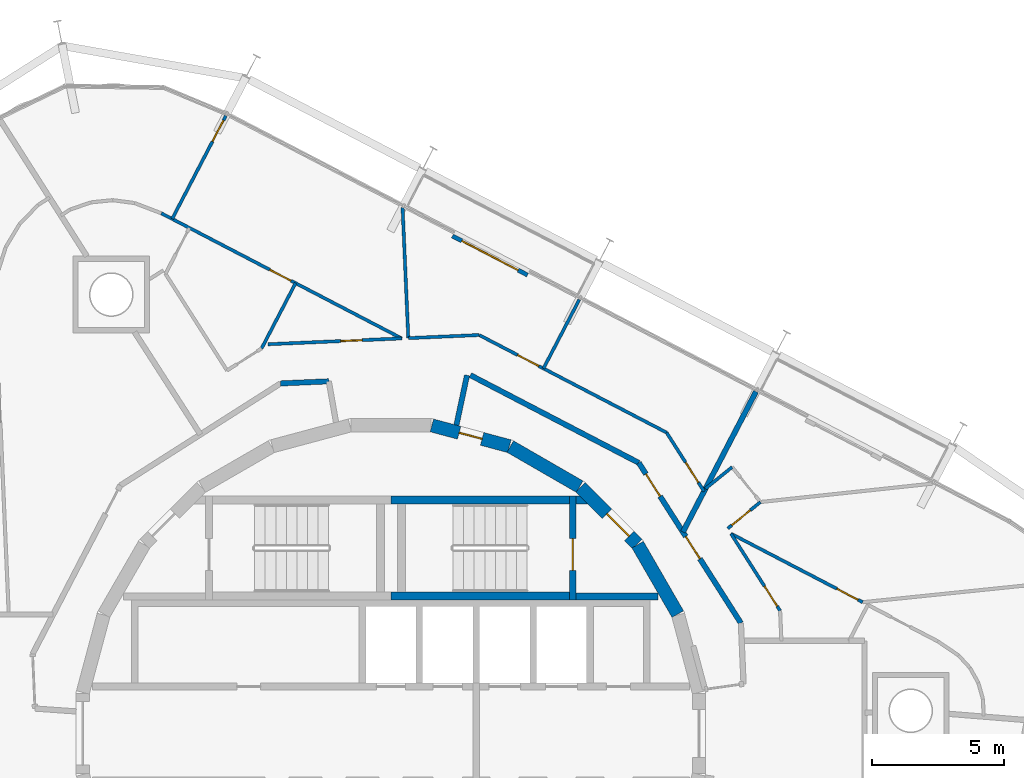
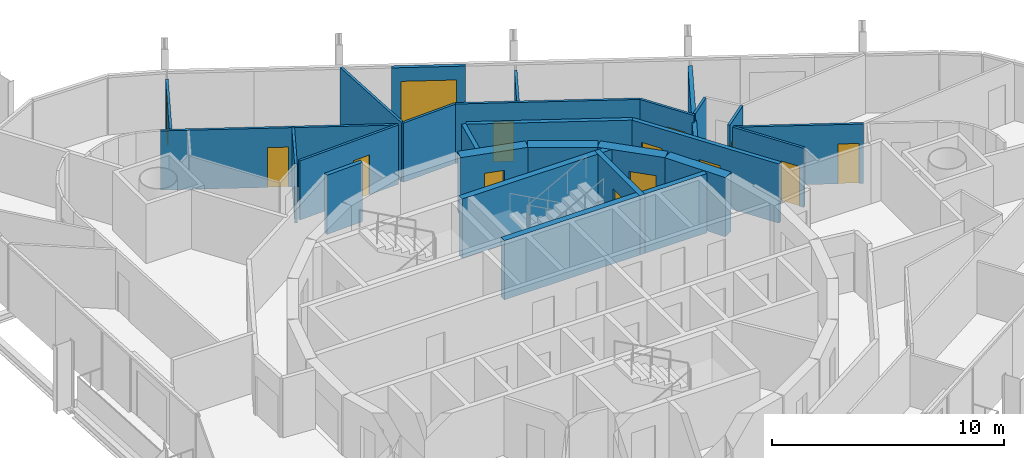
# One storey, part 16 of 18: 28 walls, 14 doors, 14 openings.
"""IFC4 building model written with IfcOpenShell, lengths in metres."""

from ifc_helpers import new_model, si_unit, direction, frame, frame_2d, origin, place, context, subcontext, project, spatial, polyline, rectangle, outline, extrude, material, layer, layer_set, type_object, element, fill, save


model = new_model("IFC4")

# Units and contexts
model_context = context("Model", 3, precision=1e-05, world=origin(), true_north=direction((0.0, 1.0)))
body_context = subcontext(model_context, "Body", "Model", "MODEL_VIEW")
ifc_project = project(units=[si_unit("LENGTHUNIT", "METRE"), si_unit("AREAUNIT", "SQUARE_METRE"), si_unit("VOLUMEUNIT", "CUBIC_METRE"), si_unit("PLANEANGLEUNIT", "RADIAN"), si_unit("MASSUNIT", "GRAM", prefix="KILO")], contexts=[model_context])

# Site, building, storey
site_placement = place(None, origin())
site = spatial("IfcSite", under=ifc_project, at=site_placement, CompositionType="ELEMENT")
building_placement = place(site_placement, origin())
building = spatial("IfcBuilding", under=site, at=building_placement, Name="Spindle Arch Residences", CompositionType="ELEMENT")
storey_placement = place(building_placement, frame((0.0, 0.0, 251.199951171875)))
storey = spatial("IfcBuildingStorey", under=building, at=storey_placement, Name="L64", CompositionType="ELEMENT", Elevation=251.199951171875)

# Wall
ifc_material_1 = material(Name="Concrete C50/60", Category="concrete")
ifc_layer_1 = layer(ifc_material_1, 0.5)
ifc_layer_set_1 = layer_set([ifc_layer_1], Name="Core outline wall 500")
wall_type_1 = type_object("IfcWallType", Name="Core outline wall 500", PredefinedType="SHEAR", material=ifc_layer_set_1)
wall_1_placement = place(storey_placement, frame((10.84521484375, 4.510498046875, 0.0), z_axis=(0.0, 0.0, 1.0), x_axis=(-0.500087131594, 0.865975092491, 0.0)))
element("IfcWall", 1, at=wall_1_placement, inside=storey, type_object=wall_type_1, Name="Core outline wall 8", PredefinedType="SHEAR", context=body_context, shape_type="SweptSolid", body=[
    extrude(rectangle(XDim=3.03271484375, YDim=0.5, at=frame_2d((1.516357421875, 0.0))), origin(), (0.0, 0.0, 1.0), 3.1201171875),
])

# Wall, opening, door
wall_2_placement = place(storey_placement, frame((9.30810546875, 7.163818359375, 0.0), z_axis=(0.0, 0.0, 1.0), x_axis=(-0.707106781187, 0.707106781187, 0.0)))
wall_2 = element("IfcWall", 2, at=wall_2_placement, inside=storey, type_object=wall_type_1, Name="Core outline wall 9", PredefinedType="SHEAR", context=body_context, shape_type="SweptSolid", body=[
    extrude(rectangle(XDim=3.032470703125, YDim=0.5, at=frame_2d((1.51611328125, 0.0))), origin(), (0.0, 0.0, 1.0), 3.1201171875),
])
opening_1_placement = place(wall_2_placement, frame((0.416259765625, 0.0, 0.0)))
opening_1 = element("IfcOpeningElement", 3, at=opening_1_placement, cuts=wall_2, Name="Opening R6C1-AD01", PredefinedType="OPENING", context=body_context, shape_type="SweptSolid", body=[
    extrude(rectangle(XDim=1.199951171875, YDim=2.10009765625, at=frame_2d((0.60009765625, 1.050048828125))), frame((0.0, 0.260009765625, 0.0), z_axis=(0.0, -1.0, 0.0), x_axis=(1.0, 0.0, 0.0)), (0.0, 0.0, 1.0), 0.52001953125),
])
ifc_material_2 = material(Name="Steel, fire-resisting door", Category="steel")
door_type_1 = type_object("IfcDoorType", Name="Stair airlock door 1200x2100", OperationType="SINGLE_SWING_LEFT", PredefinedType="DOOR", material=ifc_material_2)
door_1_placement = place(opening_1_placement, origin())
door_1 = element("IfcDoor", 4, at=door_1_placement, inside=storey, type_object=door_type_1, Name="Stair airlock door R6C1-AD01", OperationType="SINGLE_SWING_RIGHT", OverallHeight=2.10009765625, OverallWidth=1.199951171875, PredefinedType="DOOR", context=body_context, shape_type="SweptSolid", body=[
    extrude(rectangle(XDim=1.199951171875, YDim=2.10009765625, at=frame_2d((0.60009765625, 1.050048828125))), frame((0.0, 0.02490234375, 0.0), z_axis=(0.0, -1.0, 0.0), x_axis=(1.0, 0.0, 0.0)), (0.0, 0.0, 1.0), 0.050048828125),
])
fill(opening_1, door_1)

# Wall
wall_3_placement = place(storey_placement, frame((7.13671875, 9.32861328125, 0.0), z_axis=(0.0, 0.0, 1.0), x_axis=(-0.865975092491, 0.500087131594, 0.0)))
element("IfcWall", 5, at=wall_3_placement, inside=storey, type_object=wall_type_1, Name="Core outline wall 10", PredefinedType="SHEAR", context=body_context, shape_type="SweptSolid", body=[
    extrude(rectangle(XDim=3.03271484375, YDim=0.5, at=frame_2d((1.516357421875, 0.0))), origin(), (0.0, 0.0, 1.0), 3.1201171875),
])

# Wall, opening, door
wall_4_placement = place(storey_placement, frame((4.479248046875, 10.858154296875, 0.0), z_axis=(0.0, 0.0, 1.0), x_axis=(-0.965948410781, 0.258734743916, 0.0)))
wall_4 = element("IfcWall", 6, at=wall_4_placement, inside=storey, type_object=wall_type_1, Name="Core outline wall 11", PredefinedType="SHEAR", context=body_context, shape_type="SweptSolid", body=[
    extrude(rectangle(XDim=3.03271484375, YDim=0.5, at=frame_2d((1.516357421875, 0.0))), origin(), (0.0, 0.0, 1.0), 3.1201171875),
])
opening_2_placement = place(wall_4_placement, frame((1.066162109375, 0.0, 0.0)))
opening_2 = element("IfcOpeningElement", 7, at=opening_2_placement, cuts=wall_4, Name="Opening R6C1-WD11", PredefinedType="OPENING", context=body_context, shape_type="SweptSolid", body=[
    extrude(rectangle(XDim=0.89990234375, YDim=2.10009765625, at=frame_2d((0.449951171875, 1.050048828125))), frame((0.0, 0.260009765625, 0.0), z_axis=(0.0, -1.0, 0.0), x_axis=(1.0, 0.0, 0.0)), (0.0, 0.0, 1.0), 0.52001953125),
])
ifc_material_3 = material(Name="Steel, fire-resisting door", Category="steel")
door_type_2 = type_object("IfcDoorType", Name="Service room door 900x2100", OperationType="SINGLE_SWING_LEFT", PredefinedType="DOOR", material=ifc_material_3)
door_2_placement = place(opening_2_placement, origin())
door_2 = element("IfcDoor", 8, at=door_2_placement, inside=storey, type_object=door_type_2, Name="Service room door R6C1-WD11", OperationType="SINGLE_SWING_LEFT", OverallHeight=2.10009765625, OverallWidth=0.89990234375, PredefinedType="DOOR", context=body_context, shape_type="SweptSolid", body=[
    extrude(rectangle(XDim=0.89990234375, YDim=2.10009765625, at=frame_2d((0.449951171875, 1.050048828125))), frame((0.0, 0.02490234375, 0.0), z_axis=(0.0, -1.0, 0.0), x_axis=(1.0, 0.0, 0.0)), (0.0, 0.0, 1.0), 0.050048828125),
])
fill(opening_2, door_2)

# Wall, openings, doors
ifc_material_4 = material(Name="Calcium silicate block, plastered")
ifc_layer_2 = layer(ifc_material_4, 0.199951171875)
ifc_layer_set_2 = layer_set([ifc_layer_2], Name="Corridor wall 200")
wall_type_2 = type_object("IfcWallType", Name="Corridor wall 200", PredefinedType="STANDARD", material=ifc_layer_set_2)
wall_5_placement = place(storey_placement, frame((13.230712890625, 4.171630859375, 0.0), z_axis=(0.0, 0.0, 1.0), x_axis=(-0.537304397561, 0.843388394728, 0.0)))
wall_5 = element("IfcWall", 9, at=wall_5_placement, inside=storey, type_object=wall_type_2, Name="Corridor wall R6C1-W004", PredefinedType="STANDARD", context=body_context, shape_type="SweptSolid", body=[
    extrude(rectangle(XDim=7.180908203125, YDim=0.199951171875, at=frame_2d((3.59033203125, 0.0))), origin(), (0.0, 0.0, 1.0), 3.1201171875),
])
opening_3_placement = place(wall_5_placement, frame((2.881103515625, 0.0, 0.0)))
opening_3 = element("IfcOpeningElement", 10, at=opening_3_placement, cuts=wall_5, Name="Opening R6C1-FD01", PredefinedType="OPENING", context=body_context, shape_type="SweptSolid", body=[
    extrude(rectangle(XDim=1.0, YDim=2.10009765625, at=frame_2d((0.5, 1.050048828125))), frame((0.0, 0.10986328125, 0.0), z_axis=(0.0, -1.0, 0.0), x_axis=(1.0, 0.0, 0.0)), (0.0, 0.0, 1.0), 0.219970703125),
])
opening_4_placement = place(wall_5_placement, frame((5.68115234375, 0.0, 0.0)))
opening_4 = element("IfcOpeningElement", 11, at=opening_4_placement, cuts=wall_5, Name="Opening R6C1-FD02", PredefinedType="OPENING", context=body_context, shape_type="SweptSolid", body=[
    extrude(rectangle(XDim=1.0, YDim=2.10009765625, at=frame_2d((0.5, 1.050048828125))), frame((0.0, 0.10986328125, 0.0), z_axis=(0.0, -1.0, 0.0), x_axis=(1.0, 0.0, 0.0)), (0.0, 0.0, 1.0), 0.219970703125),
])
ifc_material_5 = material(Name="Timber, fire-resisting door set", Category="wood")
door_type_3 = type_object("IfcDoorType", Name="Flat entrance door 1000x2100", OperationType="NOTDEFINED", PredefinedType="DOOR", material=ifc_material_5)
door_3_placement = place(opening_3_placement, origin())
door_3 = element("IfcDoor", 12, at=door_3_placement, inside=storey, type_object=door_type_3, Name="Flat entrance door R6C1-FD01", OperationType="SINGLE_SWING_LEFT", OverallHeight=2.10009765625, OverallWidth=1.0, PredefinedType="DOOR", context=body_context, shape_type="SweptSolid", body=[
    extrude(rectangle(XDim=1.0, YDim=2.10009765625, at=frame_2d((0.5, 1.050048828125))), frame((0.0, 0.02490234375, 0.0), z_axis=(0.0, -1.0, 0.0), x_axis=(1.0, 0.0, 0.0)), (0.0, 0.0, 1.0), 0.050048828125),
])
fill(opening_3, door_3)
door_4_placement = place(opening_4_placement, origin())
door_4 = element("IfcDoor", 13, at=door_4_placement, inside=storey, type_object=door_type_3, Name="Flat entrance door R6C1-FD02", OperationType="SINGLE_SWING_LEFT", OverallHeight=2.10009765625, OverallWidth=1.0, PredefinedType="DOOR", context=body_context, shape_type="SweptSolid", body=[
    extrude(rectangle(XDim=1.0, YDim=2.10009765625, at=frame_2d((0.5, 1.050048828125))), frame((0.0, 0.02490234375, 0.0), z_axis=(0.0, -1.0, 0.0), x_axis=(1.0, 0.0, 0.0)), (0.0, 0.0, 1.0), 0.050048828125),
])
fill(opening_4, door_4)

# Walls
wall_6_placement = place(storey_placement, frame((9.372314453125, 10.22802734375, 0.0), z_axis=(0.0, 0.0, 1.0), x_axis=(-0.887005184532, 0.461759464021, 0.0)))
element("IfcWall", 14, at=wall_6_placement, inside=storey, type_object=wall_type_2, Name="Corridor wall R6C1-W005", PredefinedType="STANDARD", context=body_context, shape_type="SweptSolid", body=[
    extrude(rectangle(XDim=7.18115234375, YDim=0.199951171875, at=frame_2d((3.590576171875, 0.0))), origin(), (0.0, 0.0, 1.0), 3.1201171875),
])
wall_7_placement = place(storey_placement, frame((2.877685546875, 13.538330078125, 0.0), z_axis=(0.0, 0.0, 1.0), x_axis=(-0.207893604596, -0.978151444904, 0.0)))
element("IfcWall", 15, at=wall_7_placement, inside=storey, type_object=wall_type_2, Name="Corridor wall R6C1-W006", PredefinedType="STANDARD", context=body_context, shape_type="SweptSolid", body=[
    extrude(rectangle(XDim=1.927001953125, YDim=0.199951171875, at=frame_2d((0.96337890625, 0.0))), origin(), (0.0, 0.0, 1.0), 3.1201171875),
])
wall_8_placement = place(storey_placement, frame((-2.346923828125, 13.310302734375, 0.0), z_axis=(0.0, 0.0, 1.0), x_axis=(-0.999050095671, -0.043576442492, 0.0)))
element("IfcWall", 16, at=wall_8_placement, inside=storey, type_object=wall_type_2, Name="Corridor wall R6C1-W011", PredefinedType="STANDARD", context=body_context, shape_type="SweptSolid", body=[
    extrude(rectangle(XDim=1.826416015625, YDim=0.199951171875, at=frame_2d((0.9130859375, 0.0))), origin(), (0.0, 0.0, 1.0), 3.1201171875),
])

# Wall, opening, door
ifc_material_6 = material(Name="Plasterboard on steel studs", Category="steel")
ifc_layer_3 = layer(ifc_material_6, 0.1201171875)
ifc_layer_set_3 = layer_set([ifc_layer_3], Name="Flat partition 120")
wall_type_3 = type_object("IfcWallType", Name="Flat partition 120", PredefinedType="PARTITIONING", material=ifc_layer_set_3)
wall_9_placement = place(storey_placement, frame((14.711669921875, 4.638671875, 0.0), z_axis=(0.0, 0.0, 1.0), x_axis=(-0.537287126609, 0.843399397427, 0.0)))
wall_9 = element("IfcWall", 17, at=wall_9_placement, inside=storey, type_object=wall_type_3, Name="Flat partition R6C1-W042", PredefinedType="PARTITIONING", context=body_context, shape_type="SweptSolid", body=[
    extrude(rectangle(XDim=3.453369140625, YDim=0.1201171875, at=frame_2d((1.7265625, 0.0))), origin(), (0.0, 0.0, 1.0), 3.1201171875),
])
opening_5_placement = place(wall_9_placement, frame((0.199951171875, 0.0, 0.0)))
opening_5 = element("IfcOpeningElement", 18, at=opening_5_placement, cuts=wall_9, Name="Opening R6C1-ID01", PredefinedType="OPENING", context=body_context, shape_type="SweptSolid", body=[
    extrude(rectangle(XDim=0.89990234375, YDim=2.10009765625, at=frame_2d((0.449951171875, 1.050048828125))), frame((0.0, 0.070068359375, 0.0), z_axis=(0.0, -1.0, 0.0), x_axis=(1.0, 0.0, 0.0)), (0.0, 0.0, 1.0), 0.14013671875),
])
ifc_material_7 = material(Name="Timber door set", Category="wood")
door_type_4 = type_object("IfcDoorType", Name="Room door 900x2100", OperationType="NOTDEFINED", PredefinedType="DOOR", material=ifc_material_7)
door_5_placement = place(opening_5_placement, origin())
door_5 = element("IfcDoor", 19, at=door_5_placement, inside=storey, type_object=door_type_4, Name="Room door R6C1-ID01", OperationType="SINGLE_SWING_LEFT", OverallHeight=2.10009765625, OverallWidth=0.89990234375, PredefinedType="DOOR", context=body_context, shape_type="SweptSolid", body=[
    extrude(rectangle(XDim=0.89990234375, YDim=2.10009765625, at=frame_2d((0.449951171875, 1.050048828125))), frame((0.0, 0.02490234375, 0.0), z_axis=(0.0, -1.0, 0.0), x_axis=(1.0, 0.0, 0.0)), (0.0, 0.0, 1.0), 0.050048828125),
])
fill(opening_5, door_5)

wall_10_placement = place(storey_placement, frame((12.73193359375, 7.74609375, 0.0), z_axis=(0.0, 0.0, 1.0), x_axis=(0.777187694298, 0.62926885179, 0.0)))
wall_10 = element("IfcWall", 20, at=wall_10_placement, inside=storey, type_object=wall_type_3, Name="Flat partition R6C1-W043", PredefinedType="PARTITIONING", context=body_context, shape_type="SweptSolid", body=[
    extrude(rectangle(XDim=1.591064453125, YDim=0.1201171875, at=frame_2d((0.79541015625, 0.0))), origin(), (0.0, 0.0, 1.0), 3.1201171875),
])
opening_6_placement = place(wall_10_placement, frame((0.199951171875, 0.0, 0.0)))
opening_6 = element("IfcOpeningElement", 21, at=opening_6_placement, cuts=wall_10, Name="Opening R6C1-ID02", PredefinedType="OPENING", context=body_context, shape_type="SweptSolid", body=[
    extrude(rectangle(XDim=0.89990234375, YDim=2.10009765625, at=frame_2d((0.449951171875, 1.050048828125))), frame((0.0, 0.070068359375, 0.0), z_axis=(0.0, -1.0, 0.0), x_axis=(1.0, 0.0, 0.0)), (0.0, 0.0, 1.0), 0.14013671875),
])
door_6_placement = place(opening_6_placement, origin())
door_6 = element("IfcDoor", 22, at=door_6_placement, inside=storey, type_object=door_type_4, Name="Room door R6C1-ID02", OperationType="SINGLE_SWING_RIGHT", OverallHeight=2.10009765625, OverallWidth=0.89990234375, PredefinedType="DOOR", context=body_context, shape_type="SweptSolid", body=[
    extrude(rectangle(XDim=0.89990234375, YDim=2.10009765625, at=frame_2d((0.449951171875, 1.050048828125))), frame((0.0, 0.02490234375, 0.0), z_axis=(0.0, -1.0, 0.0), x_axis=(1.0, 0.0, 0.0)), (0.0, 0.0, 1.0), 0.050048828125),
])
fill(opening_6, door_6)

# Wall
wall_11_placement = place(storey_placement, frame((12.8984375, 10.068603515625, 0.0), z_axis=(0.0, 0.0, 1.0), x_axis=(-0.777069405334, -0.629414918232, 0.0)))
element("IfcWall", 23, at=wall_11_placement, inside=storey, type_object=wall_type_3, Name="Flat partition R6C1-W045", PredefinedType="PARTITIONING", context=body_context, shape_type="SweptSolid", body=[
    extrude(rectangle(XDim=1.29638671875, YDim=0.1201171875, at=frame_2d((0.648193359375, 0.0))), origin(), (0.0, 0.0, 1.0), 3.1201171875),
])

# Wall, opening, door
wall_12_placement = place(storey_placement, frame((17.83447265625, 4.959716796875, 0.0), z_axis=(0.0, 0.0, 1.0), x_axis=(-0.887008743782, 0.461752626906, 0.0)))
wall_12 = element("IfcWall", 24, at=wall_12_placement, inside=storey, type_object=wall_type_3, Name="Flat partition R6C1-W054", PredefinedType="PARTITIONING", context=body_context, shape_type="SweptSolid", body=[
    extrude(rectangle(XDim=5.6123046875, YDim=0.1201171875, at=frame_2d((2.80615234375, 0.0))), origin(), (0.0, 0.0, 1.0), 3.1201171875),
])
opening_7_placement = place(wall_12_placement, frame((0.199951171875, 0.0, 0.0)))
opening_7 = element("IfcOpeningElement", 25, at=opening_7_placement, cuts=wall_12, Name="Opening R6C1-ID05", PredefinedType="OPENING", context=body_context, shape_type="SweptSolid", body=[
    extrude(rectangle(XDim=0.89990234375, YDim=2.10009765625, at=frame_2d((0.449951171875, 1.050048828125))), frame((0.0, 0.070068359375, 0.0), z_axis=(0.0, -1.0, 0.0), x_axis=(1.0, 0.0, 0.0)), (0.0, 0.0, 1.0), 0.14013671875),
])
door_7_placement = place(opening_7_placement, origin())
door_7 = element("IfcDoor", 26, at=door_7_placement, inside=storey, type_object=door_type_4, Name="Room door R6C1-ID05", OperationType="SINGLE_SWING_RIGHT", OverallHeight=2.10009765625, OverallWidth=0.89990234375, PredefinedType="DOOR", context=body_context, shape_type="SweptSolid", body=[
    extrude(rectangle(XDim=0.89990234375, YDim=2.10009765625, at=frame_2d((0.449951171875, 1.050048828125))), frame((0.0, 0.02490234375, 0.0), z_axis=(0.0, -1.0, 0.0), x_axis=(1.0, 0.0, 0.0)), (0.0, 0.0, 1.0), 0.050048828125),
])
fill(opening_7, door_7)

wall_13_placement = place(storey_placement, frame((11.837646484375, 9.14990234375, 0.0), z_axis=(0.0, 0.0, 1.0), x_axis=(-0.537288949014, 0.843398236462, 0.0)))
wall_13 = element("IfcWall", 27, at=wall_13_placement, inside=storey, type_object=wall_type_3, Name="Flat partition R6C1-W056", PredefinedType="PARTITIONING", context=body_context, shape_type="SweptSolid", body=[
    extrude(rectangle(XDim=2.635986328125, YDim=0.1201171875, at=frame_2d((1.31787109375, 0.0))), origin(), (0.0, 0.0, 1.0), 3.1201171875),
])
opening_8_placement = place(wall_13_placement, frame((0.39990234375, 0.0, 0.0)))
opening_8 = element("IfcOpeningElement", 28, at=opening_8_placement, cuts=wall_13, Name="Opening R6C1-ID06", PredefinedType="OPENING", context=body_context, shape_type="SweptSolid", body=[
    extrude(rectangle(XDim=0.89990234375, YDim=2.10009765625, at=frame_2d((0.449951171875, 1.050048828125))), frame((0.0, 0.070068359375, 0.0), z_axis=(0.0, -1.0, 0.0), x_axis=(1.0, 0.0, 0.0)), (0.0, 0.0, 1.0), 0.14013671875),
])
door_8_placement = place(opening_8_placement, origin())
door_8 = element("IfcDoor", 29, at=door_8_placement, inside=storey, type_object=door_type_4, Name="Room door R6C1-ID06", OperationType="SINGLE_SWING_LEFT", OverallHeight=2.10009765625, OverallWidth=0.89990234375, PredefinedType="DOOR", context=body_context, shape_type="SweptSolid", body=[
    extrude(rectangle(XDim=0.89990234375, YDim=2.10009765625, at=frame_2d((0.449951171875, 1.050048828125))), frame((0.0, 0.02490234375, 0.0), z_axis=(0.0, -1.0, 0.0), x_axis=(1.0, 0.0, 0.0)), (0.0, 0.0, 1.0), 0.050048828125),
])
fill(opening_8, door_8)

wall_14_placement = place(storey_placement, frame((10.42138671875, 11.373046875, 0.0), z_axis=(0.0, 0.0, 1.0), x_axis=(-0.887012970857, 0.461744506769, 0.0)))
wall_14 = element("IfcWall", 30, at=wall_14_placement, inside=storey, type_object=wall_type_3, Name="Flat partition R6C1-W057", PredefinedType="PARTITIONING", context=body_context, shape_type="SweptSolid", body=[
    extrude(rectangle(XDim=7.98486328125, YDim=0.1201171875, at=frame_2d((3.992431640625, 0.0))), origin(), (0.0, 0.0, 1.0), 3.1201171875),
])
opening_9_placement = place(wall_14_placement, frame((5.447509765625, 0.0, 0.0)))
opening_9 = element("IfcOpeningElement", 31, at=opening_9_placement, cuts=wall_14, Name="Opening R6C1-ID07", PredefinedType="OPENING", context=body_context, shape_type="SweptSolid", body=[
    extrude(rectangle(XDim=0.89990234375, YDim=2.10009765625, at=frame_2d((0.449951171875, 1.050048828125))), frame((0.0, 0.070068359375, 0.0), z_axis=(0.0, -1.0, 0.0), x_axis=(1.0, 0.0, 0.0)), (0.0, 0.0, 1.0), 0.14013671875),
])
door_9_placement = place(opening_9_placement, origin())
door_9 = element("IfcDoor", 32, at=door_9_placement, inside=storey, type_object=door_type_4, Name="Room door R6C1-ID07", OperationType="SINGLE_SWING_RIGHT", OverallHeight=2.10009765625, OverallWidth=0.89990234375, PredefinedType="DOOR", context=body_context, shape_type="SweptSolid", body=[
    extrude(rectangle(XDim=0.89990234375, YDim=2.10009765625, at=frame_2d((0.449951171875, 1.050048828125))), frame((0.0, 0.02490234375, 0.0), z_axis=(0.0, -1.0, 0.0), x_axis=(1.0, 0.0, 0.0)), (0.0, 0.0, 1.0), 0.050048828125),
])
fill(opening_9, door_9)

# Wall
wall_15_placement = place(storey_placement, frame((3.338623046875, 15.06005859375, 0.0), z_axis=(0.0, 0.0, 1.0), x_axis=(-0.999045829762, -0.043674134634, 0.0)))
element("IfcWall", 33, at=wall_15_placement, inside=storey, type_object=wall_type_3, Name="Flat partition R6C1-W058", PredefinedType="PARTITIONING", context=body_context, shape_type="SweptSolid", body=[
    extrude(rectangle(XDim=2.68310546875, YDim=0.1201171875, at=frame_2d((1.341552734375, 0.0))), origin(), (0.0, 0.0, 1.0), 3.1201171875),
])

# Wall, opening, door
wall_16_placement = place(storey_placement, frame((0.41015625, 14.93212890625, 0.0), z_axis=(0.0, 0.0, 1.0), x_axis=(-0.99904802852, -0.043623808982, 0.0)))
wall_16 = element("IfcWall", 34, at=wall_16_placement, inside=storey, type_object=wall_type_3, Name="Flat partition R6C1-W059", PredefinedType="PARTITIONING", context=body_context, shape_type="SweptSolid", body=[
    extrude(rectangle(XDim=5.0537109375, YDim=0.1201171875, at=frame_2d((2.52685546875, 0.0))), origin(), (0.0, 0.0, 1.0), 3.1201171875),
])
opening_10_placement = place(wall_16_placement, frame((1.5, 0.0, 0.0)))
opening_10 = element("IfcOpeningElement", 35, at=opening_10_placement, cuts=wall_16, Name="Opening R6C1-BD02", PredefinedType="OPENING", context=body_context, shape_type="SweptSolid", body=[
    extrude(rectangle(XDim=0.800048828125, YDim=2.10009765625, at=frame_2d((0.39990234375, 1.050048828125))), frame((0.0, 0.070068359375, 0.0), z_axis=(0.0, -1.0, 0.0), x_axis=(1.0, 0.0, 0.0)), (0.0, 0.0, 1.0), 0.14013671875),
])
ifc_material_8 = material(Name="Timber door set", Category="wood")
door_type_5 = type_object("IfcDoorType", Name="Bathroom door 800x2100", OperationType="NOTDEFINED", PredefinedType="DOOR", material=ifc_material_8)
door_10_placement = place(opening_10_placement, origin())
door_10 = element("IfcDoor", 36, at=door_10_placement, inside=storey, type_object=door_type_5, Name="Bathroom door R6C1-BD02", OperationType="SINGLE_SWING_RIGHT", OverallHeight=2.10009765625, OverallWidth=0.800048828125, PredefinedType="DOOR", context=body_context, shape_type="SweptSolid", body=[
    extrude(rectangle(XDim=0.800048828125, YDim=2.10009765625, at=frame_2d((0.39990234375, 1.050048828125))), frame((0.0, 0.02490234375, 0.0), z_axis=(0.0, -1.0, 0.0), x_axis=(1.0, 0.0, 0.0)), (0.0, 0.0, 1.0), 0.050048828125),
])
fill(opening_10, door_10)

# Wall
wall_17_placement = place(storey_placement, frame((0.4423828125, 19.875732421875, 0.0), z_axis=(0.0, 0.0, 1.0), x_axis=(0.04366038102, -0.999046430918, 0.0)))
element("IfcWall", 37, at=wall_17_placement, inside=storey, type_object=wall_type_3, Name="Flat partition R6C1-W064", PredefinedType="PARTITIONING", context=body_context, shape_type="SweptSolid", body=[
    extrude(rectangle(XDim=4.9375, YDim=0.1201171875, at=frame_2d((2.46875, 0.0))), origin(), (0.0, 0.0, 1.0), 3.1201171875),
])

# Wall, opening, door
wall_18_placement = place(storey_placement, frame((0.41015625, 14.93212890625, 0.0), z_axis=(0.0, 0.0, 1.0), x_axis=(-0.887012293034, 0.461745808867, 0.0)))
wall_18 = element("IfcWall", 38, at=wall_18_placement, inside=storey, type_object=wall_type_3, Name="Flat partition R6C1-W065", PredefinedType="PARTITIONING", context=body_context, shape_type="SweptSolid", body=[
    extrude(rectangle(XDim=10.246337890625, YDim=0.1201171875, at=frame_2d((5.123046875, 0.0))), origin(), (0.0, 0.0, 1.0), 3.1201171875),
])
opening_11_placement = place(wall_18_placement, frame((4.724609375, 0.0, 0.0)))
opening_11 = element("IfcOpeningElement", 39, at=opening_11_placement, cuts=wall_18, Name="Opening R6C1-ID09", PredefinedType="OPENING", context=body_context, shape_type="SweptSolid", body=[
    extrude(rectangle(XDim=0.89990234375, YDim=2.10009765625, at=frame_2d((0.449951171875, 1.050048828125))), frame((0.0, 0.070068359375, 0.0), z_axis=(0.0, -1.0, 0.0), x_axis=(1.0, 0.0, 0.0)), (0.0, 0.0, 1.0), 0.14013671875),
])
door_11_placement = place(opening_11_placement, origin())
door_11 = element("IfcDoor", 40, at=door_11_placement, inside=storey, type_object=door_type_4, Name="Room door R6C1-ID09", OperationType="SINGLE_SWING_RIGHT", OverallHeight=2.10009765625, OverallWidth=0.89990234375, PredefinedType="DOOR", context=body_context, shape_type="SweptSolid", body=[
    extrude(rectangle(XDim=0.89990234375, YDim=2.10009765625, at=frame_2d((0.449951171875, 1.050048828125))), frame((0.0, 0.02490234375, 0.0), z_axis=(0.0, -1.0, 0.0), x_axis=(1.0, 0.0, 0.0)), (0.0, 0.0, 1.0), 0.050048828125),
])
fill(opening_11, door_11)

# Walls
wall_19_placement = place(storey_placement, frame((-3.60302734375, 17.021240234375, 0.0), z_axis=(0.0, 0.0, 1.0), x_axis=(-0.46178633653, -0.886991194654, 0.0)))
element("IfcWall", 41, at=wall_19_placement, inside=storey, type_object=wall_type_3, Name="Flat partition R6C1-W066", PredefinedType="PARTITIONING", context=body_context, shape_type="SweptSolid", body=[
    extrude(rectangle(XDim=2.782958984375, YDim=0.1201171875, at=frame_2d((1.3916015625, 0.0))), origin(), (0.0, 0.0, 1.0), 3.1201171875),
])
ifc_material_9 = material(Name="Plasterboard on steel studs", Category="steel")
ifc_layer_4 = layer(ifc_material_9, 0.1201171875)
ifc_layer_set_4 = layer_set([ifc_layer_4], Name="Flat partition 120 under beam 2730")
wall_type_4 = type_object("IfcWallType", Name="Flat partition 120 under beam 2730", PredefinedType="PARTITIONING", material=ifc_layer_set_4)
wall_20_placement = place(storey_placement, frame((7.121826171875, 16.398681640625, 0.0), z_axis=(0.0, 0.0, 1.0), x_axis=(-0.461763975246, -0.887002836053, 0.0)))
element("IfcWall", 42, at=wall_20_placement, inside=storey, type_object=wall_type_4, Name="Flat partition R6C1-W063", PredefinedType="PARTITIONING", context=body_context, shape_type="SweptSolid", body=[
    extrude(rectangle(XDim=2.934326171875, YDim=0.1201171875, at=frame_2d((1.46728515625, 0.0))), origin(), (0.0, 0.0, 1.0), 2.72998046875),
])

# Wall, opening, door
wall_21_placement = place(storey_placement, frame((-6.23681640625, 23.352783203125, 0.0), z_axis=(0.0, 0.0, 1.0), x_axis=(-0.461714347673, -0.88702866986, 0.0)))
wall_21 = element("IfcWall", 43, at=wall_21_placement, inside=storey, type_object=wall_type_4, Name="Flat partition R6C1-W067", PredefinedType="PARTITIONING", context=body_context, shape_type="SweptSolid", body=[
    extrude(rectangle(XDim=4.39990234375, YDim=0.1201171875, at=frame_2d((2.199951171875, 0.0))), origin(), (0.0, 0.0, 1.0), 2.72998046875),
])
opening_12_placement = place(wall_21_placement, frame((0.199951171875, 0.0, 0.0)))
opening_12 = element("IfcOpeningElement", 44, at=opening_12_placement, cuts=wall_21, Name="Opening R6C1-ID10", PredefinedType="OPENING", context=body_context, shape_type="SweptSolid", body=[
    extrude(rectangle(XDim=0.89990234375, YDim=2.10009765625, at=frame_2d((0.449951171875, 1.050048828125))), frame((0.0, 0.070068359375, 0.0), z_axis=(0.0, -1.0, 0.0), x_axis=(1.0, 0.0, 0.0)), (0.0, 0.0, 1.0), 0.14013671875),
])
door_12_placement = place(opening_12_placement, origin())
door_12 = element("IfcDoor", 45, at=door_12_placement, inside=storey, type_object=door_type_4, Name="Room door R6C1-ID10", OperationType="SINGLE_SWING_RIGHT", OverallHeight=2.10009765625, OverallWidth=0.89990234375, PredefinedType="DOOR", context=body_context, shape_type="SweptSolid", body=[
    extrude(rectangle(XDim=0.89990234375, YDim=2.10009765625, at=frame_2d((0.449951171875, 1.050048828125))), frame((0.0, 0.02490234375, 0.0), z_axis=(0.0, -1.0, 0.0), x_axis=(1.0, 0.0, 0.0)), (0.0, 0.0, 1.0), 0.050048828125),
])
fill(opening_12, door_12)

# Wall
ifc_material_10 = material(Name="Calcium silicate block, plastered")
ifc_layer_5 = layer(ifc_material_10, 0.199951171875)
ifc_layer_set_5 = layer_set([ifc_layer_5], Name="Flat party wall 200 under beam 2730")
wall_type_5 = type_object("IfcWallType", Name="Flat party wall 200 under beam 2730", PredefinedType="STANDARD", material=ifc_layer_set_5)
wall_22_placement = place(storey_placement, frame((13.801025390625, 12.921875, 0.0), z_axis=(0.0, 0.0, 1.0), x_axis=(-0.461726485624, -0.887022351733, 0.0)))
element("IfcWall", 46, at=wall_22_placement, inside=storey, type_object=wall_type_5, Name="Flat party wall R6C1-W029", PredefinedType="STANDARD", context=body_context, shape_type="SweptSolid", body=[
    extrude(rectangle(XDim=5.984375, YDim=0.199951171875, at=frame_2d((2.9921875, 0.0))), origin(), (0.0, 0.0, 1.0), 2.72998046875),
])

# Wall, opening, door
ifc_material_11 = material(Name="Non-combustible mineral wool insulated aluminium faced external wall (K0)", Category="aluminium")
ifc_layer_6 = layer(ifc_material_11, 0.159912109375)
ifc_layer_set_6 = layer_set([ifc_layer_6], Name="Insulated external wall panel 160")
wall_type_6 = type_object("IfcWallType", Name="Insulated external wall panel 160", PredefinedType="STANDARD", material=ifc_layer_set_6)
wall_23_placement = place(storey_placement, frame((5.164306640625, 17.327392578125, 0.0), z_axis=(0.0, 0.0, 1.0), x_axis=(-0.886983100078, 0.461801884119, 0.0)))
wall_23 = element("IfcWall", 47, at=wall_23_placement, inside=storey, type_object=wall_type_6, Name="External wall L64 bay 8", PredefinedType="STANDARD", context=body_context, shape_type="SweptSolid", body=[
    extrude(rectangle(XDim=3.199951171875, YDim=0.159912109375, at=frame_2d((1.60009765625, 0.0))), origin(), (0.0, 0.0, 1.0), 3.1201171875),
])
opening_13_placement = place(wall_23_placement, frame((0.39990234375, 0.0, 0.0)))
opening_13 = element("IfcOpeningElement", 48, at=opening_13_placement, cuts=wall_23, Name="Opening BD08", PredefinedType="OPENING", context=body_context, shape_type="SweptSolid", body=[
    extrude(rectangle(XDim=2.39990234375, YDim=2.39990234375, at=frame_2d((1.199951171875, 1.199951171875))), frame((0.0, 0.08984375, 0.0), z_axis=(0.0, -1.0, 0.0), x_axis=(1.0, 0.0, 0.0)), (0.0, 0.0, 1.0), 0.179931640625),
])
ifc_material_12 = material(Name="Bronze aluminium frame, tinted double glazing", Category="aluminium")
door_type_6 = type_object("IfcDoorType", Name="Sliding glazed balcony door 2400x2400", OperationType="DOUBLE_DOOR_SLIDING", PredefinedType="DOOR", material=ifc_material_12)
door_13_placement = place(opening_13_placement, origin())
door_13 = element("IfcDoor", 49, at=door_13_placement, inside=storey, type_object=door_type_6, Name="Balcony door BD08", OperationType="DOUBLE_DOOR_SLIDING", OverallHeight=2.39990234375, OverallWidth=2.39990234375, PredefinedType="DOOR", context=body_context, shape_type="SweptSolid", body=[
    extrude(rectangle(XDim=2.39990234375, YDim=2.39990234375, at=frame_2d((1.199951171875, 1.199951171875))), frame((0.0, 0.02490234375, 0.0), z_axis=(0.0, -1.0, 0.0), x_axis=(1.0, 0.0, 0.0)), (0.0, 0.0, 1.0), 0.050048828125),
])
fill(opening_13, door_13)

# Walls
ifc_material_13 = material(Name="Concrete C40/50", Category="concrete")
ifc_layer_7 = layer(ifc_material_13, 0.25)
ifc_layer_set_7 = layer_set([ifc_layer_7], Name="Stair airlock wall 250")
wall_type_7 = type_object("IfcWallType", Name="Stair airlock wall 250", PredefinedType="SHEAR", material=ifc_layer_set_7)
wall_24_placement = place(storey_placement, frame((7.0, 5.175048828125, 0.0), z_axis=(0.0, 0.0, 1.0), x_axis=(1.0, 0.0, 0.0)))
element("IfcWall", 50, at=wall_24_placement, inside=storey, type_object=wall_type_7, Name="Stair ST-1 airlock wall S", PredefinedType="SHEAR", context=body_context, shape_type="SweptSolid", body=[
    extrude(rectangle(XDim=3.10009765625, YDim=0.25, at=frame_2d((1.550048828125, 0.0))), origin(), (0.0, 0.0, 1.0), 3.1201171875),
])
ifc_material_14 = material(Name="Concrete C40/50", Category="concrete")
wall_type_8 = type_object("IfcWallType", Name="Stair airlock wall profile", PredefinedType="SHEAR", material=ifc_material_14)
wall_25_placement = place(storey_placement, origin())
element("IfcWall", 51, at=wall_25_placement, inside=storey, type_object=wall_type_8, Name="Stair ST-1 airlock wall N", PredefinedType="SHEAR", context=body_context, shape_type="SweptSolid", body=[
    extrude(outline(polyline([(7.4482421875, 8.669921875), (7.0, 8.669921875), (7.0, 8.969970703125), (7.148193359375, 8.969970703125), (7.4482421875, 8.669921875)])), origin(), (0.0, 0.0, 1.0), 3.1201171875),
])

# Wall, opening, door
ifc_material_15 = material(Name="Concrete C50/60", Category="concrete")
ifc_layer_8 = layer(ifc_material_15, 0.25)
ifc_layer_set_8 = layer_set([ifc_layer_8], Name="Stair enclosure wall 250")
wall_type_9 = type_object("IfcWallType", Name="Stair enclosure wall 250", PredefinedType="SHEAR", material=ifc_layer_set_8)
wall_26_placement = place(storey_placement, frame((6.875, 5.050048828125, 0.0), z_axis=(0.0, 0.0, 1.0), x_axis=(0.0, 1.0, 0.0)))
wall_26 = element("IfcWall", 52, at=wall_26_placement, inside=storey, type_object=wall_type_9, Name="Stair ST-1 door wall", PredefinedType="SHEAR", context=body_context, shape_type="SweptSolid", body=[
    extrude(rectangle(XDim=3.919921875, YDim=0.25, at=frame_2d((1.9599609375, 0.0))), origin(), (0.0, 0.0, 1.0), 3.1201171875),
])
opening_14_placement = place(wall_26_placement, frame((1.110107421875, 0.0, 0.0)))
opening_14 = element("IfcOpeningElement", 53, at=opening_14_placement, cuts=wall_26, Name="Opening R6C1-SD01", PredefinedType="OPENING", context=body_context, shape_type="SweptSolid", body=[
    extrude(rectangle(XDim=1.199951171875, YDim=2.10009765625, at=frame_2d((0.60009765625, 1.050048828125))), frame((0.0, 0.135009765625, 0.0), z_axis=(0.0, -1.0, 0.0), x_axis=(1.0, 0.0, 0.0)), (0.0, 0.0, 1.0), 0.27001953125),
])
ifc_material_16 = material(Name="Steel, fire-resisting door", Category="steel")
door_type_7 = type_object("IfcDoorType", Name="Stair door 1200x2100", OperationType="SINGLE_SWING_RIGHT", PredefinedType="DOOR", material=ifc_material_16)
door_14_placement = place(opening_14_placement, origin())
door_14 = element("IfcDoor", 54, at=door_14_placement, inside=storey, type_object=door_type_7, Name="Stair door R6C1-SD01", OperationType="SINGLE_SWING_LEFT", OverallHeight=2.10009765625, OverallWidth=1.199951171875, PredefinedType="DOOR", context=body_context, shape_type="SweptSolid", body=[
    extrude(rectangle(XDim=1.199951171875, YDim=2.10009765625, at=frame_2d((0.60009765625, 1.050048828125))), frame((0.0, 0.02490234375, 0.0), z_axis=(0.0, -1.0, 0.0), x_axis=(1.0, 0.0, 0.0)), (0.0, 0.0, 1.0), 0.050048828125),
])
fill(opening_14, door_14)

# Walls
ifc_material_17 = material(Name="Concrete C50/60", Category="concrete")
ifc_layer_9 = layer(ifc_material_17, 0.300048828125)
ifc_layer_set_9 = layer_set([ifc_layer_9], Name="Stair enclosure wall 300")
wall_type_10 = type_object("IfcWallType", Name="Stair enclosure wall 300", PredefinedType="SHEAR", material=ifc_layer_set_9)
for number, where, z_axis, x_axis, name in (
    (55, (0.0, 5.199951171875, 0.0), (0.0, 0.0, 1.0), (1.0, 0.0, 0.0), "Stair ST-1 enclosure wall S"),
    (56, (0.0, 8.820068359375, 0.0), (0.0, 0.0, 1.0), (1.0, 0.0, 0.0), "Stair ST-1 enclosure wall N"),
):
    element("IfcWall", number, at=place(storey_placement, frame(where, z_axis=z_axis, x_axis=x_axis)), inside=storey, type_object=wall_type_10, Name=name, PredefinedType="SHEAR", context=body_context, shape_type="SweptSolid", body=[
        extrude(rectangle(XDim=6.75, YDim=0.300048828125, at=frame_2d((3.375, 0.0))), origin(), (0.0, 0.0, 1.0), 3.1201171875),
    ])

save(model, "model.ifc")
